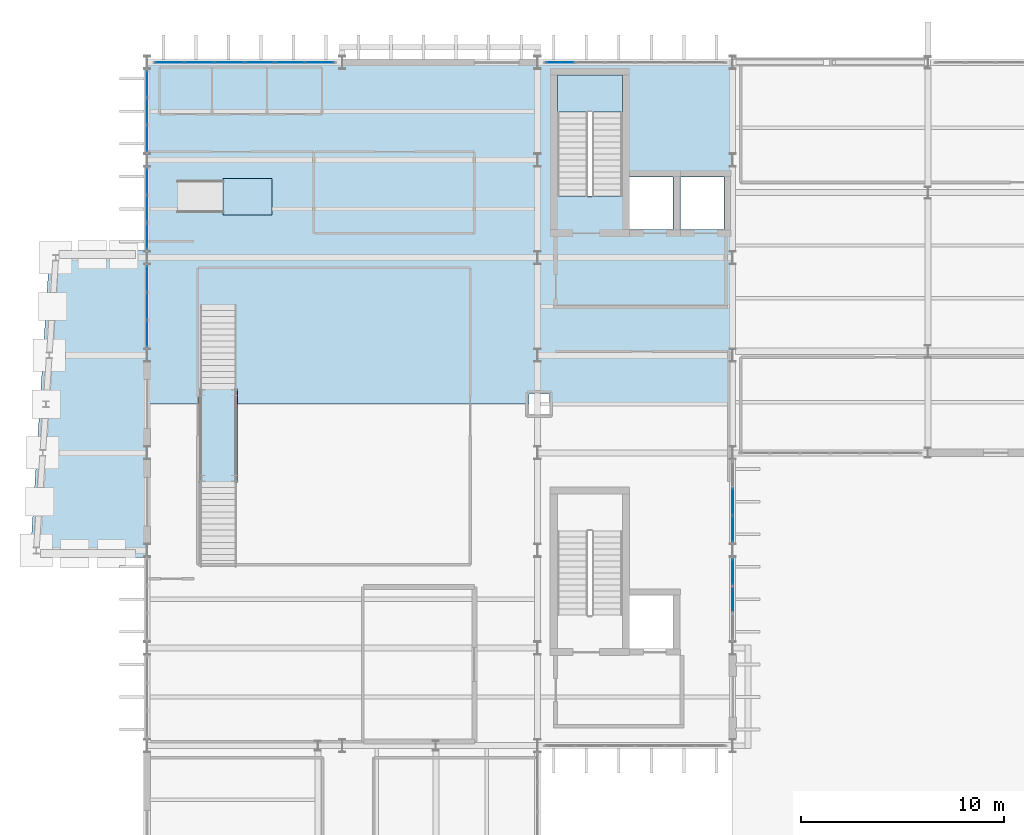
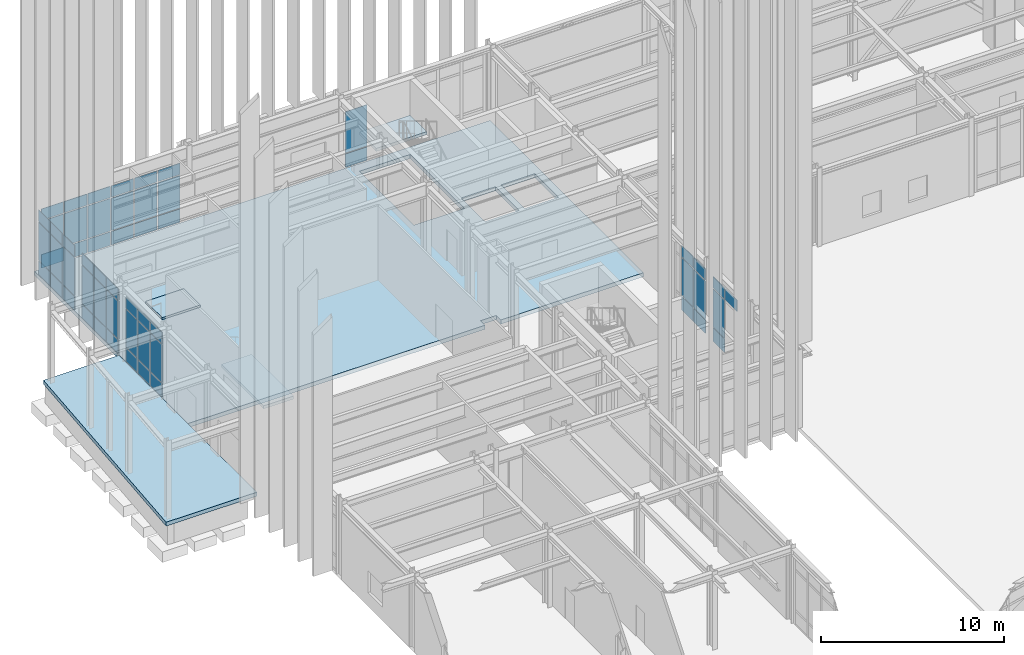
# One storey, part 73 of 109: 57 plates, 5 slabs, 9 elements without a shape of their own.
"""IFC4 building model written with IfcOpenShell, lengths in metres."""

import ifcopenshell
import ifcopenshell.guid

model = None  # the IFC model being written
_history = None  # IfcOwnerHistory: only IFC2X3 demands one
_inside = {}  # id of a spatial element -> (the spatial element, [elements in it])
_under = {}  # id of a project, library or spatial element -> (it, [spatial elements below it])
_declared = {}  # id of a project -> (the project, [libraries it declares])
_typed = {}  # id of a type object -> (the type object, [elements of that type])
_made_of = {}  # id of a material, layer set ... -> (it, [elements and type objects made of it])


def new_model(schema):
    """Start an empty IFC model of exactly this schema.

    Asked for "IFC4X3", IfcOpenShell would pick the latest addendum, in which some entities
    have other attributes; the version numbers below select the first issue.
    IFC2X3 requires an IfcOwnerHistory on every rooted entity: one is made here for all.
    """
    global model, _history
    if schema == "IFC4X3":
        model = ifcopenshell.file(schema_version=(4, 3, 0, 0))
    else:
        model = ifcopenshell.file(schema=schema)
    _inside.clear()
    _under.clear()
    _declared.clear()
    _typed.clear()
    _made_of.clear()
    _history = None
    if model.schema == "IFC2X3":
        org = make("IfcOrganization", Name="unknown")
        user = make(
            "IfcPersonAndOrganization",
            ThePerson=make("IfcPerson", FamilyName="unknown"),
            TheOrganization=org,
        )
        app = make(
            "IfcApplication",
            ApplicationDeveloper=org,
            Version="unknown",
            ApplicationFullName="unknown",
            ApplicationIdentifier="unknown",
        )
        _history = make(
            "IfcOwnerHistory",
            OwningUser=user,
            OwningApplication=app,
            ChangeAction="ADDED",
            CreationDate=0,
        )
    return model


def make(cls, **values):
    """One entity of the class cls with the attributes given. An attribute that is None is left unset."""
    return model.create_entity(
        cls, **{name: value for name, value in values.items() if value is not None}
    )


def rooted(cls, **values):
    """An entity with a GlobalId (a new one), such as an element, a storey or a relation."""
    return make(cls, GlobalId=ifcopenshell.guid.new(), OwnerHistory=_history, **values)


def si_unit(unit_type, name, prefix=None):
    """IfcSIUnit, for example si_unit("LENGTHUNIT", "METRE", prefix="MILLI")."""
    return make("IfcSIUnit", UnitType=unit_type, Prefix=prefix, Name=name)


def assignment(units):
    """IfcUnitAssignment: the units of a project."""
    return None if units is None else make("IfcUnitAssignment", Units=units)


def point(xyz):
    """IfcCartesianPoint."""
    return None if xyz is None else make("IfcCartesianPoint", Coordinates=xyz)


def direction(xyz):
    """IfcDirection."""
    return None if xyz is None else make("IfcDirection", DirectionRatios=xyz)


def frame(location, z_axis=None, x_axis=None):
    """IfcAxis2Placement3D, a coordinate frame: its origin and axes. An axis left out is left unset."""
    return make(
        "IfcAxis2Placement3D",
        Location=point(location),
        Axis=direction(z_axis),
        RefDirection=direction(x_axis),
    )


def frame_2d(location, x_axis=None):
    """IfcAxis2Placement2D, a coordinate frame in the plane: its origin and x axis."""
    return make(
        "IfcAxis2Placement2D", Location=point(location), RefDirection=direction(x_axis)
    )


def origin():
    """The frame at (0, 0, 0) with its axes left unset."""
    return frame((0.0, 0.0, 0.0))


def origin_2d():
    """The frame at (0, 0) in the plane with its x axis left unset."""
    return frame_2d((0.0, 0.0))


def place(relative_to, where):
    """IfcLocalPlacement: puts the frame where relative to a parent placement (None: the world)."""
    return make(
        "IfcLocalPlacement", PlacementRelTo=relative_to, RelativePlacement=where
    )


def context(
    kind, dimensions, precision=None, world=None, true_north=None, identifier=None
):
    """IfcGeometricRepresentationContext, for example the 3D "Model" context."""
    return make(
        "IfcGeometricRepresentationContext",
        ContextIdentifier=identifier,
        ContextType=kind,
        CoordinateSpaceDimension=dimensions,
        Precision=precision,
        WorldCoordinateSystem=world,
        TrueNorth=true_north,
    )


def subcontext(parent, identifier, kind, view, scale=None):
    """IfcGeometricRepresentationSubContext, for example "Body" below "Model"."""
    return make(
        "IfcGeometricRepresentationSubContext",
        ContextIdentifier=identifier,
        ContextType=kind,
        ParentContext=parent,
        TargetScale=scale,
        TargetView=view,
    )


def project(units=None, contexts=None):
    """IfcProject with its units and contexts."""
    return rooted(
        "IfcProject",
        Name="project",
        RepresentationContexts=contexts,
        UnitsInContext=assignment(units),
    )


def spatial(cls, under=None, at=None, **own):
    """A site, building, storey or space (cls), placed at a placement, below another one or the project."""
    s = rooted(cls, ObjectPlacement=at, **own)
    if under is not None:
        _under.setdefault(under.id(), (under, []))[1].append(s)
    return s


def polyline(points):
    """IfcPolyline through the points."""
    return make("IfcPolyline", Points=[point(p) for p in points])


def profile(cls, at=None, kind="AREA", **sizes):
    """A parametric profile (cls). Its sizes go by their IFC names, for example OverallWidth=200.0."""
    return make(cls, ProfileType=kind, Position=at, **sizes)


def rectangle(**sizes):
    """IfcRectangleProfileDef."""
    return profile("IfcRectangleProfileDef", **sizes)


def outline(outer, holes=None, kind="AREA"):
    """IfcArbitraryClosedProfileDef: a profile drawn as a closed curve; with holes, ...WithVoids."""
    if holes is None:
        return make("IfcArbitraryClosedProfileDef", ProfileType=kind, OuterCurve=outer)
    return make(
        "IfcArbitraryProfileDefWithVoids",
        ProfileType=kind,
        OuterCurve=outer,
        InnerCurves=holes,
    )


def extrude(swept, where, along, depth):
    """IfcExtrudedAreaSolid: the profile swept, set in the frame where, extruded along a direction by depth."""
    return make(
        "IfcExtrudedAreaSolid",
        SweptArea=swept,
        Position=where,
        ExtrudedDirection=direction(along),
        Depth=depth,
    )


def shape(context_of_items, identifier, shape_type, items):
    """IfcShapeRepresentation: the items that make up one representation, for example the "Body"."""
    return make(
        "IfcShapeRepresentation",
        ContextOfItems=context_of_items,
        RepresentationIdentifier=identifier,
        RepresentationType=shape_type,
        Items=items,
    )


def material(Name=None, Category=None):
    """IfcMaterial."""
    return make("IfcMaterial", Name=Name, Category=Category)


def layer(
    of_material, thickness, ventilated=None, Name=None, Category=None, Priority=None
):
    """IfcMaterialLayer: one layer of a wall or slab, of a material (None: an air gap)."""
    return make(
        "IfcMaterialLayer",
        Material=of_material,
        LayerThickness=thickness,
        IsVentilated=ventilated,
        Name=Name,
        Category=Category,
        Priority=Priority,
    )


def layer_set(layers, Name=None):
    """IfcMaterialLayerSet."""
    return make("IfcMaterialLayerSet", MaterialLayers=layers, LayerSetName=Name)


def made_of(thing, what):
    """Note that an element or type object is made of a material, layer set ...; save() writes the relation."""
    if what is not None:
        _made_of.setdefault(what.id(), (what, []))[1].append(thing)
    return thing


def type_object(cls, material=None, **own):
    """A type object (cls), such as IfcWallType, which elements share."""
    return made_of(rooted(cls, **own), material)


def element(
    cls,
    number,
    at=None,
    inside=None,
    cuts=None,
    type_object=None,
    material=None,
    context=None,
    identifier="Body",
    shape_type=None,
    held_by="IfcProductDefinitionShape",
    body=None,
    shapes=None,
    **own,
):
    """One element of the class cls, such as IfcWall. Its Tag is "e" and its number.

    at: its placement. inside: the storey or other place that contains it. cuts: it is an
    opening in that element (IfcRelVoidsElement). A single representation is given by context,
    identifier, shape_type and body (its items); several are given by shapes. held_by: the class
    of the entity that holds the representations. save() writes the other relations.
    """
    e = rooted(cls, Tag="e%d" % number, ObjectPlacement=at, **own)
    if body is not None:
        shapes = [shape(context, identifier, shape_type, body)]
    if shapes is not None:
        e.Representation = make(held_by, Representations=shapes)
    if inside is not None:
        _inside.setdefault(inside.id(), (inside, []))[1].append(e)
    if cuts is not None:
        rooted(
            "IfcRelVoidsElement", RelatingBuildingElement=cuts, RelatedOpeningElement=e
        )
    if type_object is not None:
        _typed.setdefault(type_object.id(), (type_object, []))[1].append(e)
    return made_of(e, material)


def aggregate(whole, parts):
    """IfcRelAggregates: a whole, such as a stair, and the parts it consists of."""
    return rooted("IfcRelAggregates", RelatingObject=whole, RelatedObjects=parts)


def save(model, path):
    """Write the relations noted so far, then the file.

    IfcRelAggregates (storeys below a building ...), IfcRelContainedInSpatialStructure (elements
    in a storey), IfcRelDefinesByType, IfcRelAssociatesMaterial and IfcRelDeclares: one each for
    every whole, place, type object, material and project.
    """
    for whole, parts in _under.values():
        aggregate(whole, parts)
    for where, things in _inside.values():
        rooted(
            "IfcRelContainedInSpatialStructure",
            RelatedElements=things,
            RelatingStructure=where,
        )
    for kind, things in _typed.values():
        rooted("IfcRelDefinesByType", RelatedObjects=things, RelatingType=kind)
    for what, things in _made_of.values():
        rooted("IfcRelAssociatesMaterial", RelatedObjects=things, RelatingMaterial=what)
    for by, libraries in _declared.values():
        rooted("IfcRelDeclares", RelatingContext=by, RelatedDefinitions=libraries)
    model.write(path)


model = new_model("IFC4")

# Units and contexts
model_context = context("Model", 3, precision=1e-05, world=origin(), true_north=direction((0.0, 1.0)))
body_context = subcontext(model_context, "Body", "Model", "MODEL_VIEW")
ifc_project = project(units=[si_unit("LENGTHUNIT", "METRE"), si_unit("AREAUNIT", "SQUARE_METRE"), si_unit("VOLUMEUNIT", "CUBIC_METRE"), si_unit("PLANEANGLEUNIT", "RADIAN"), si_unit("MASSUNIT", "GRAM", prefix="KILO")], contexts=[model_context])

# Site, building, storey
site_placement = place(None, origin())
site = spatial("IfcSite", under=ifc_project, at=site_placement, CompositionType="ELEMENT")
building_placement = place(site_placement, origin())
building = spatial("IfcBuilding", under=site, at=building_placement, Name="Nordkorset Police Headquarters", CompositionType="ELEMENT")
storey_placement = place(building_placement, origin())
storey = spatial("IfcBuildingStorey", under=building, at=storey_placement, Name="L00", CompositionType="ELEMENT", Elevation=0.0)

# Curtain wall, plates
ifc_material_1 = material(Name="Aluminium alloy AW-6060", Category="aluminium")
ifc_layer_1 = layer(ifc_material_1, 0.179931640625, Name="Aluminium alloy AW-6060")
ifc_layer_set_1 = layer_set([ifc_layer_1], Name="Aluminium alloy AW-6060")
curtain_wall_type_1 = type_object("IfcCurtainWallType", Name="CW_Unit_408x444", PredefinedType="USERDEFINED", material=ifc_layer_set_1)
curtain_wall_1_placement = place(storey_placement, origin())
curtain_wall_1 = element("IfcCurtainWall", 1, at=curtain_wall_1_placement, inside=storey, type_object=curtain_wall_type_1, Name="Unitised Curtain Wall L00 V1W-4", ObjectType="UNITISED CURTAIN WALL", PredefinedType="USERDEFINED")
ifc_material_2 = material(Name="Low-iron triple glazing", Category="glass")
ifc_layer_2 = layer(ifc_material_2, 0.035888671875, Name="Low-iron triple glazing")
ifc_layer_set_2 = layer_set([ifc_layer_2], Name="Low-iron triple glazing")
plate_type = type_object("IfcPlateType", Name="CW_Panel_TripleGlazing_36", PredefinedType="CURTAIN_PANEL", material=ifc_layer_set_2)
plate_1_placement = place(storey_placement, frame((0.0, 103.456298828125, 0.06494140625), z_axis=(0.0, 0.0, 1.0), x_axis=(0.0, 1.0, 0.0)))
plate_1 = element("IfcPlate", 2, at=plate_1_placement, type_object=plate_type, Name="CW-66 panel 1.1", PredefinedType="CURTAIN_PANEL", context=body_context, shape_type="SweptSolid", body=[
    extrude(rectangle(XDim=1.262451171875, YDim=0.035888671875, at=origin_2d()), origin(), (0.0, 0.0, 1.0), 0.902587890625),
])
plate_2_placement = place(storey_placement, frame((0.0, 103.456298828125, 1.032470703125), z_axis=(0.0, 0.0, 1.0), x_axis=(0.0, 1.0, 0.0)))
plate_2 = element("IfcPlate", 3, at=plate_2_placement, type_object=plate_type, Name="CW-66 panel 1.2", PredefinedType="CURTAIN_PANEL", context=body_context, shape_type="SweptSolid", body=[
    extrude(rectangle(XDim=1.262451171875, YDim=0.035888671875, at=origin_2d()), origin(), (0.0, 0.0, 1.0), 2.52490234375),
])
plate_3_placement = place(storey_placement, frame((0.0, 103.456298828125, 3.62255859375), z_axis=(0.0, 0.0, 1.0), x_axis=(0.0, 1.0, 0.0)))
plate_3 = element("IfcPlate", 4, at=plate_3_placement, type_object=plate_type, Name="CW-66 panel 1.3", PredefinedType="CURTAIN_PANEL", context=body_context, shape_type="SweptSolid", body=[
    extrude(rectangle(XDim=1.262451171875, YDim=0.035888671875, at=origin_2d()), origin(), (0.0, 0.0, 1.0), 0.75244140625),
])
plate_4_placement = place(storey_placement, frame((0.0, 104.800048828125, 0.06494140625), z_axis=(0.0, 0.0, 1.0), x_axis=(0.0, 1.0, 0.0)))
plate_4 = element("IfcPlate", 5, at=plate_4_placement, type_object=plate_type, Name="CW-66 panel 2.1", PredefinedType="CURTAIN_PANEL", context=body_context, shape_type="SweptSolid", body=[
    extrude(rectangle(XDim=1.294921875, YDim=0.035888671875, at=origin_2d()), origin(), (0.0, 0.0, 1.0), 0.902587890625),
])
plate_5_placement = place(storey_placement, frame((0.0, 104.800048828125, 1.032470703125), z_axis=(0.0, 0.0, 1.0), x_axis=(0.0, 1.0, 0.0)))
plate_5 = element("IfcPlate", 6, at=plate_5_placement, type_object=plate_type, Name="CW-66 panel 2.2", PredefinedType="CURTAIN_PANEL", context=body_context, shape_type="SweptSolid", body=[
    extrude(rectangle(XDim=1.294921875, YDim=0.035888671875, at=origin_2d()), origin(), (0.0, 0.0, 1.0), 2.52490234375),
])
plate_6_placement = place(storey_placement, frame((0.0, 104.800048828125, 3.62255859375), z_axis=(0.0, 0.0, 1.0), x_axis=(0.0, 1.0, 0.0)))
plate_6 = element("IfcPlate", 7, at=plate_6_placement, type_object=plate_type, Name="CW-66 panel 2.3", PredefinedType="CURTAIN_PANEL", context=body_context, shape_type="SweptSolid", body=[
    extrude(rectangle(XDim=1.294921875, YDim=0.035888671875, at=origin_2d()), origin(), (0.0, 0.0, 1.0), 0.75244140625),
])
plate_7_placement = place(storey_placement, frame((0.0, 106.143798828125, 0.06494140625), z_axis=(0.0, 0.0, 1.0), x_axis=(0.0, 1.0, 0.0)))
plate_7 = element("IfcPlate", 8, at=plate_7_placement, type_object=plate_type, Name="CW-66 panel 3.1", PredefinedType="CURTAIN_PANEL", context=body_context, shape_type="SweptSolid", body=[
    extrude(rectangle(XDim=1.262451171875, YDim=0.035888671875, at=origin_2d()), origin(), (0.0, 0.0, 1.0), 0.902587890625),
])
plate_8_placement = place(storey_placement, frame((0.0, 106.143798828125, 1.032470703125), z_axis=(0.0, 0.0, 1.0), x_axis=(0.0, 1.0, 0.0)))
plate_8 = element("IfcPlate", 9, at=plate_8_placement, type_object=plate_type, Name="CW-66 panel 3.2", PredefinedType="CURTAIN_PANEL", context=body_context, shape_type="SweptSolid", body=[
    extrude(rectangle(XDim=1.262451171875, YDim=0.035888671875, at=origin_2d()), origin(), (0.0, 0.0, 1.0), 2.52490234375),
])
plate_9_placement = place(storey_placement, frame((0.0, 106.143798828125, 3.62255859375), z_axis=(0.0, 0.0, 1.0), x_axis=(0.0, 1.0, 0.0)))
plate_9 = element("IfcPlate", 10, at=plate_9_placement, type_object=plate_type, Name="CW-66 panel 3.3", PredefinedType="CURTAIN_PANEL", context=body_context, shape_type="SweptSolid", body=[
    extrude(rectangle(XDim=1.262451171875, YDim=0.035888671875, at=origin_2d()), origin(), (0.0, 0.0, 1.0), 0.75244140625),
])
aggregate(curtain_wall_1, [plate_1, plate_2, plate_3, plate_4, plate_5, plate_6, plate_7, plate_8, plate_9])

curtain_wall_2_placement = place(storey_placement, origin())
curtain_wall_2 = element("IfcCurtainWall", 11, at=curtain_wall_2_placement, inside=storey, type_object=curtain_wall_type_1, Name="Unitised Curtain Wall L00 V1W-5", ObjectType="UNITISED CURTAIN WALL", PredefinedType="USERDEFINED")
plate_10_placement = place(storey_placement, frame((0.0, 108.25634765625, 0.06494140625), z_axis=(0.0, 0.0, 1.0), x_axis=(0.0, 1.0, 0.0)))
plate_10 = element("IfcPlate", 12, at=plate_10_placement, type_object=plate_type, Name="CW-66 panel 1.1", PredefinedType="CURTAIN_PANEL", context=body_context, shape_type="SweptSolid", body=[
    extrude(rectangle(XDim=1.262451171875, YDim=0.035888671875, at=origin_2d()), origin(), (0.0, 0.0, 1.0), 0.902587890625),
])
plate_11_placement = place(storey_placement, frame((0.0, 108.25634765625, 1.032470703125), z_axis=(0.0, 0.0, 1.0), x_axis=(0.0, 1.0, 0.0)))
plate_11 = element("IfcPlate", 13, at=plate_11_placement, type_object=plate_type, Name="CW-66 panel 1.2", PredefinedType="CURTAIN_PANEL", context=body_context, shape_type="SweptSolid", body=[
    extrude(rectangle(XDim=1.262451171875, YDim=0.035888671875, at=origin_2d()), origin(), (0.0, 0.0, 1.0), 2.52490234375),
])
plate_12_placement = place(storey_placement, frame((0.0, 108.25634765625, 3.62255859375), z_axis=(0.0, 0.0, 1.0), x_axis=(0.0, 1.0, 0.0)))
plate_12 = element("IfcPlate", 14, at=plate_12_placement, type_object=plate_type, Name="CW-66 panel 1.3", PredefinedType="CURTAIN_PANEL", context=body_context, shape_type="SweptSolid", body=[
    extrude(rectangle(XDim=1.262451171875, YDim=0.035888671875, at=origin_2d()), origin(), (0.0, 0.0, 1.0), 0.75244140625),
])
plate_13_placement = place(storey_placement, frame((0.0, 109.60009765625, 0.06494140625), z_axis=(0.0, 0.0, 1.0), x_axis=(0.0, 1.0, 0.0)))
plate_13 = element("IfcPlate", 15, at=plate_13_placement, type_object=plate_type, Name="CW-66 panel 2.1", PredefinedType="CURTAIN_PANEL", context=body_context, shape_type="SweptSolid", body=[
    extrude(rectangle(XDim=1.294921875, YDim=0.035888671875, at=origin_2d()), origin(), (0.0, 0.0, 1.0), 0.902587890625),
])
plate_14_placement = place(storey_placement, frame((0.0, 109.60009765625, 1.032470703125), z_axis=(0.0, 0.0, 1.0), x_axis=(0.0, 1.0, 0.0)))
plate_14 = element("IfcPlate", 16, at=plate_14_placement, type_object=plate_type, Name="CW-66 panel 2.2", PredefinedType="CURTAIN_PANEL", context=body_context, shape_type="SweptSolid", body=[
    extrude(rectangle(XDim=1.294921875, YDim=0.035888671875, at=origin_2d()), origin(), (0.0, 0.0, 1.0), 2.52490234375),
])
plate_15_placement = place(storey_placement, frame((0.0, 109.60009765625, 3.62255859375), z_axis=(0.0, 0.0, 1.0), x_axis=(0.0, 1.0, 0.0)))
plate_15 = element("IfcPlate", 17, at=plate_15_placement, type_object=plate_type, Name="CW-66 panel 2.3", PredefinedType="CURTAIN_PANEL", context=body_context, shape_type="SweptSolid", body=[
    extrude(rectangle(XDim=1.294921875, YDim=0.035888671875, at=origin_2d()), origin(), (0.0, 0.0, 1.0), 0.75244140625),
])
plate_16_placement = place(storey_placement, frame((0.0, 110.94384765625, 0.06494140625), z_axis=(0.0, 0.0, 1.0), x_axis=(0.0, 1.0, 0.0)))
plate_16 = element("IfcPlate", 18, at=plate_16_placement, type_object=plate_type, Name="CW-66 panel 3.1", PredefinedType="CURTAIN_PANEL", context=body_context, shape_type="SweptSolid", body=[
    extrude(rectangle(XDim=1.262451171875, YDim=0.035888671875, at=origin_2d()), origin(), (0.0, 0.0, 1.0), 0.902587890625),
])
plate_17_placement = place(storey_placement, frame((0.0, 110.94384765625, 1.032470703125), z_axis=(0.0, 0.0, 1.0), x_axis=(0.0, 1.0, 0.0)))
plate_17 = element("IfcPlate", 19, at=plate_17_placement, type_object=plate_type, Name="CW-66 panel 3.2", PredefinedType="CURTAIN_PANEL", context=body_context, shape_type="SweptSolid", body=[
    extrude(rectangle(XDim=1.262451171875, YDim=0.035888671875, at=origin_2d()), origin(), (0.0, 0.0, 1.0), 2.52490234375),
])
plate_18_placement = place(storey_placement, frame((0.0, 110.94384765625, 3.62255859375), z_axis=(0.0, 0.0, 1.0), x_axis=(0.0, 1.0, 0.0)))
plate_18 = element("IfcPlate", 20, at=plate_18_placement, type_object=plate_type, Name="CW-66 panel 3.3", PredefinedType="CURTAIN_PANEL", context=body_context, shape_type="SweptSolid", body=[
    extrude(rectangle(XDim=1.262451171875, YDim=0.035888671875, at=origin_2d()), origin(), (0.0, 0.0, 1.0), 0.75244140625),
])
aggregate(curtain_wall_2, [plate_10, plate_11, plate_12, plate_13, plate_14, plate_15, plate_16, plate_17, plate_18])

curtain_wall_3_placement = place(storey_placement, origin())
curtain_wall_3 = element("IfcCurtainWall", 21, at=curtain_wall_3_placement, inside=storey, type_object=curtain_wall_type_1, Name="Unitised Curtain Wall L00 V1W-6", ObjectType="UNITISED CURTAIN WALL", PredefinedType="USERDEFINED")
plate_19_placement = place(storey_placement, frame((0.0, 113.05615234375, 0.06494140625), z_axis=(0.0, 0.0, 1.0), x_axis=(0.0, 1.0, 0.0)))
plate_19 = element("IfcPlate", 22, at=plate_19_placement, type_object=plate_type, Name="CW-66 panel 1.1", PredefinedType="CURTAIN_PANEL", context=body_context, shape_type="SweptSolid", body=[
    extrude(rectangle(XDim=1.262451171875, YDim=0.035888671875, at=origin_2d()), origin(), (0.0, 0.0, 1.0), 0.902587890625),
])
plate_20_placement = place(storey_placement, frame((0.0, 113.05615234375, 1.032470703125), z_axis=(0.0, 0.0, 1.0), x_axis=(0.0, 1.0, 0.0)))
plate_20 = element("IfcPlate", 23, at=plate_20_placement, type_object=plate_type, Name="CW-66 panel 1.2", PredefinedType="CURTAIN_PANEL", context=body_context, shape_type="SweptSolid", body=[
    extrude(rectangle(XDim=1.262451171875, YDim=0.035888671875, at=origin_2d()), origin(), (0.0, 0.0, 1.0), 2.52490234375),
])
plate_21_placement = place(storey_placement, frame((0.0, 113.05615234375, 3.62255859375), z_axis=(0.0, 0.0, 1.0), x_axis=(0.0, 1.0, 0.0)))
plate_21 = element("IfcPlate", 24, at=plate_21_placement, type_object=plate_type, Name="CW-66 panel 1.3", PredefinedType="CURTAIN_PANEL", context=body_context, shape_type="SweptSolid", body=[
    extrude(rectangle(XDim=1.262451171875, YDim=0.035888671875, at=origin_2d()), origin(), (0.0, 0.0, 1.0), 0.75244140625),
])
plate_22_placement = place(storey_placement, frame((0.0, 114.39990234375, 0.06494140625), z_axis=(0.0, 0.0, 1.0), x_axis=(0.0, 1.0, 0.0)))
plate_22 = element("IfcPlate", 25, at=plate_22_placement, type_object=plate_type, Name="CW-66 panel 2.1", PredefinedType="CURTAIN_PANEL", context=body_context, shape_type="SweptSolid", body=[
    extrude(rectangle(XDim=1.294921875, YDim=0.035888671875, at=origin_2d()), origin(), (0.0, 0.0, 1.0), 0.902587890625),
])
plate_23_placement = place(storey_placement, frame((0.0, 114.39990234375, 1.032470703125), z_axis=(0.0, 0.0, 1.0), x_axis=(0.0, 1.0, 0.0)))
plate_23 = element("IfcPlate", 26, at=plate_23_placement, type_object=plate_type, Name="CW-66 panel 2.2", PredefinedType="CURTAIN_PANEL", context=body_context, shape_type="SweptSolid", body=[
    extrude(rectangle(XDim=1.294921875, YDim=0.035888671875, at=origin_2d()), origin(), (0.0, 0.0, 1.0), 2.52490234375),
])
plate_24_placement = place(storey_placement, frame((0.0, 114.39990234375, 3.62255859375), z_axis=(0.0, 0.0, 1.0), x_axis=(0.0, 1.0, 0.0)))
plate_24 = element("IfcPlate", 27, at=plate_24_placement, type_object=plate_type, Name="CW-66 panel 2.3", PredefinedType="CURTAIN_PANEL", context=body_context, shape_type="SweptSolid", body=[
    extrude(rectangle(XDim=1.294921875, YDim=0.035888671875, at=origin_2d()), origin(), (0.0, 0.0, 1.0), 0.75244140625),
])
plate_25_placement = place(storey_placement, frame((0.0, 115.74365234375, 0.06494140625), z_axis=(0.0, 0.0, 1.0), x_axis=(0.0, 1.0, 0.0)))
plate_25 = element("IfcPlate", 28, at=plate_25_placement, type_object=plate_type, Name="CW-66 panel 3.1", PredefinedType="CURTAIN_PANEL", context=body_context, shape_type="SweptSolid", body=[
    extrude(rectangle(XDim=1.262451171875, YDim=0.035888671875, at=origin_2d()), origin(), (0.0, 0.0, 1.0), 0.902587890625),
])
plate_26_placement = place(storey_placement, frame((0.0, 115.74365234375, 1.032470703125), z_axis=(0.0, 0.0, 1.0), x_axis=(0.0, 1.0, 0.0)))
plate_26 = element("IfcPlate", 29, at=plate_26_placement, type_object=plate_type, Name="CW-66 panel 3.2", PredefinedType="CURTAIN_PANEL", context=body_context, shape_type="SweptSolid", body=[
    extrude(rectangle(XDim=1.262451171875, YDim=0.035888671875, at=origin_2d()), origin(), (0.0, 0.0, 1.0), 2.52490234375),
])
plate_27_placement = place(storey_placement, frame((0.0, 115.74365234375, 3.62255859375), z_axis=(0.0, 0.0, 1.0), x_axis=(0.0, 1.0, 0.0)))
plate_27 = element("IfcPlate", 30, at=plate_27_placement, type_object=plate_type, Name="CW-66 panel 3.3", PredefinedType="CURTAIN_PANEL", context=body_context, shape_type="SweptSolid", body=[
    extrude(rectangle(XDim=1.262451171875, YDim=0.035888671875, at=origin_2d()), origin(), (0.0, 0.0, 1.0), 0.75244140625),
])
aggregate(curtain_wall_3, [plate_19, plate_20, plate_21, plate_22, plate_23, plate_24, plate_25, plate_26, plate_27])

ifc_material_3 = material(Name="Aluminium alloy AW-6060", Category="aluminium")
ifc_layer_3 = layer(ifc_material_3, 0.179931640625, Name="Aluminium alloy AW-6060")
ifc_layer_set_3 = layer_set([ifc_layer_3], Name="Aluminium alloy AW-6060")
curtain_wall_type_2 = type_object("IfcCurtainWallType", Name="CW_Unit_888x408", PredefinedType="USERDEFINED", material=ifc_layer_set_3)
curtain_wall_4_placement = place(storey_placement, origin())
curtain_wall_4 = element("IfcCurtainWall", 31, at=curtain_wall_4_placement, inside=storey, type_object=curtain_wall_type_2, Name="Unitised Curtain Wall L00 V1N-0", ObjectType="UNITISED CURTAIN WALL", PredefinedType="USERDEFINED")
plate_28_placement = place(storey_placement, frame((1.1162109375, 116.800048828125, 0.06494140625), z_axis=(0.0, 0.0, 1.0), x_axis=(1.0, 0.0, 0.0)))
plate_28 = element("IfcPlate", 32, at=plate_28_placement, type_object=plate_type, Name="CW-14 panel 1.1", PredefinedType="CURTAIN_PANEL", context=body_context, shape_type="SweptSolid", body=[
    extrude(rectangle(XDim=1.382568359375, YDim=0.035888671875, at=origin_2d()), origin(), (0.0, 0.0, 1.0), 0.902587890625),
])
plate_29_placement = place(storey_placement, frame((1.1162109375, 116.800048828125, 1.032470703125), z_axis=(0.0, 0.0, 1.0), x_axis=(1.0, 0.0, 0.0)))
plate_29 = element("IfcPlate", 33, at=plate_29_placement, type_object=plate_type, Name="CW-14 panel 1.2", PredefinedType="CURTAIN_PANEL", context=body_context, shape_type="SweptSolid", body=[
    extrude(rectangle(XDim=1.382568359375, YDim=0.035888671875, at=origin_2d()), origin(), (0.0, 0.0, 1.0), 2.1650390625),
])
plate_30_placement = place(storey_placement, frame((1.1162109375, 116.800048828125, 3.262451171875), z_axis=(0.0, 0.0, 1.0), x_axis=(1.0, 0.0, 0.0)))
plate_30 = element("IfcPlate", 34, at=plate_30_placement, type_object=plate_type, Name="CW-14 panel 1.3", PredefinedType="CURTAIN_PANEL", context=body_context, shape_type="SweptSolid", body=[
    extrude(rectangle(XDim=1.382568359375, YDim=0.035888671875, at=origin_2d()), origin(), (0.0, 0.0, 1.0), 0.75244140625),
])
plate_31_placement = place(storey_placement, frame((2.580078125, 116.800048828125, 0.06494140625), z_axis=(0.0, 0.0, 1.0), x_axis=(1.0, 0.0, 0.0)))
plate_31 = element("IfcPlate", 35, at=plate_31_placement, type_object=plate_type, Name="CW-14 panel 2.1", PredefinedType="CURTAIN_PANEL", context=body_context, shape_type="SweptSolid", body=[
    extrude(rectangle(XDim=1.4150390625, YDim=0.035888671875, at=origin_2d()), origin(), (0.0, 0.0, 1.0), 0.902587890625),
])
plate_32_placement = place(storey_placement, frame((2.580078125, 116.800048828125, 1.032470703125), z_axis=(0.0, 0.0, 1.0), x_axis=(1.0, 0.0, 0.0)))
plate_32 = element("IfcPlate", 36, at=plate_32_placement, type_object=plate_type, Name="CW-14 panel 2.2", PredefinedType="CURTAIN_PANEL", context=body_context, shape_type="SweptSolid", body=[
    extrude(rectangle(XDim=1.4150390625, YDim=0.035888671875, at=origin_2d()), origin(), (0.0, 0.0, 1.0), 2.1650390625),
])
plate_33_placement = place(storey_placement, frame((2.580078125, 116.800048828125, 3.262451171875), z_axis=(0.0, 0.0, 1.0), x_axis=(1.0, 0.0, 0.0)))
plate_33 = element("IfcPlate", 37, at=plate_33_placement, type_object=plate_type, Name="CW-14 panel 2.3", PredefinedType="CURTAIN_PANEL", context=body_context, shape_type="SweptSolid", body=[
    extrude(rectangle(XDim=1.4150390625, YDim=0.035888671875, at=origin_2d()), origin(), (0.0, 0.0, 1.0), 0.75244140625),
])
plate_34_placement = place(storey_placement, frame((4.06005859375, 116.800048828125, 0.06494140625), z_axis=(0.0, 0.0, 1.0), x_axis=(1.0, 0.0, 0.0)))
plate_34 = element("IfcPlate", 38, at=plate_34_placement, type_object=plate_type, Name="CW-14 panel 3.1", PredefinedType="CURTAIN_PANEL", context=body_context, shape_type="SweptSolid", body=[
    extrude(rectangle(XDim=1.4150390625, YDim=0.035888671875, at=origin_2d()), origin(), (0.0, 0.0, 1.0), 0.902587890625),
])
plate_35_placement = place(storey_placement, frame((4.06005859375, 116.800048828125, 1.032470703125), z_axis=(0.0, 0.0, 1.0), x_axis=(1.0, 0.0, 0.0)))
plate_35 = element("IfcPlate", 39, at=plate_35_placement, type_object=plate_type, Name="CW-14 panel 3.2", PredefinedType="CURTAIN_PANEL", context=body_context, shape_type="SweptSolid", body=[
    extrude(rectangle(XDim=1.4150390625, YDim=0.035888671875, at=origin_2d()), origin(), (0.0, 0.0, 1.0), 2.1650390625),
])
plate_36_placement = place(storey_placement, frame((4.06005859375, 116.800048828125, 3.262451171875), z_axis=(0.0, 0.0, 1.0), x_axis=(1.0, 0.0, 0.0)))
plate_36 = element("IfcPlate", 40, at=plate_36_placement, type_object=plate_type, Name="CW-14 panel 3.3", PredefinedType="CURTAIN_PANEL", context=body_context, shape_type="SweptSolid", body=[
    extrude(rectangle(XDim=1.4150390625, YDim=0.035888671875, at=origin_2d()), origin(), (0.0, 0.0, 1.0), 0.75244140625),
])
plate_37_placement = place(storey_placement, frame((5.5400390625, 116.800048828125, 0.06494140625), z_axis=(0.0, 0.0, 1.0), x_axis=(1.0, 0.0, 0.0)))
plate_37 = element("IfcPlate", 41, at=plate_37_placement, type_object=plate_type, Name="CW-14 panel 4.1", PredefinedType="CURTAIN_PANEL", context=body_context, shape_type="SweptSolid", body=[
    extrude(rectangle(XDim=1.4150390625, YDim=0.035888671875, at=origin_2d()), origin(), (0.0, 0.0, 1.0), 0.902587890625),
])
plate_38_placement = place(storey_placement, frame((5.5400390625, 116.800048828125, 1.032470703125), z_axis=(0.0, 0.0, 1.0), x_axis=(1.0, 0.0, 0.0)))
plate_38 = element("IfcPlate", 42, at=plate_38_placement, type_object=plate_type, Name="CW-14 panel 4.2", PredefinedType="CURTAIN_PANEL", context=body_context, shape_type="SweptSolid", body=[
    extrude(rectangle(XDim=1.4150390625, YDim=0.035888671875, at=origin_2d()), origin(), (0.0, 0.0, 1.0), 2.1650390625),
])
plate_39_placement = place(storey_placement, frame((5.5400390625, 116.800048828125, 3.262451171875), z_axis=(0.0, 0.0, 1.0), x_axis=(1.0, 0.0, 0.0)))
plate_39 = element("IfcPlate", 43, at=plate_39_placement, type_object=plate_type, Name="CW-14 panel 4.3", PredefinedType="CURTAIN_PANEL", context=body_context, shape_type="SweptSolid", body=[
    extrude(rectangle(XDim=1.4150390625, YDim=0.035888671875, at=origin_2d()), origin(), (0.0, 0.0, 1.0), 0.75244140625),
])
plate_40_placement = place(storey_placement, frame((7.02001953125, 116.800048828125, 0.06494140625), z_axis=(0.0, 0.0, 1.0), x_axis=(1.0, 0.0, 0.0)))
plate_40 = element("IfcPlate", 44, at=plate_40_placement, type_object=plate_type, Name="CW-14 panel 5.1", PredefinedType="CURTAIN_PANEL", context=body_context, shape_type="SweptSolid", body=[
    extrude(rectangle(XDim=1.4150390625, YDim=0.035888671875, at=origin_2d()), origin(), (0.0, 0.0, 1.0), 0.902587890625),
])
plate_41_placement = place(storey_placement, frame((7.02001953125, 116.800048828125, 1.032470703125), z_axis=(0.0, 0.0, 1.0), x_axis=(1.0, 0.0, 0.0)))
plate_41 = element("IfcPlate", 45, at=plate_41_placement, type_object=plate_type, Name="CW-14 panel 5.2", PredefinedType="CURTAIN_PANEL", context=body_context, shape_type="SweptSolid", body=[
    extrude(rectangle(XDim=1.4150390625, YDim=0.035888671875, at=origin_2d()), origin(), (0.0, 0.0, 1.0), 2.1650390625),
])
plate_42_placement = place(storey_placement, frame((7.02001953125, 116.800048828125, 3.262451171875), z_axis=(0.0, 0.0, 1.0), x_axis=(1.0, 0.0, 0.0)))
plate_42 = element("IfcPlate", 46, at=plate_42_placement, type_object=plate_type, Name="CW-14 panel 5.3", PredefinedType="CURTAIN_PANEL", context=body_context, shape_type="SweptSolid", body=[
    extrude(rectangle(XDim=1.4150390625, YDim=0.035888671875, at=origin_2d()), origin(), (0.0, 0.0, 1.0), 0.75244140625),
])
plate_43_placement = place(storey_placement, frame((8.483642578125, 116.800048828125, 0.06494140625), z_axis=(0.0, 0.0, 1.0), x_axis=(1.0, 0.0, 0.0)))
plate_43 = element("IfcPlate", 47, at=plate_43_placement, type_object=plate_type, Name="CW-14 panel 6.1", PredefinedType="CURTAIN_PANEL", context=body_context, shape_type="SweptSolid", body=[
    extrude(rectangle(XDim=1.382568359375, YDim=0.035888671875, at=origin_2d()), origin(), (0.0, 0.0, 1.0), 0.902587890625),
])
plate_44_placement = place(storey_placement, frame((8.483642578125, 116.800048828125, 1.032470703125), z_axis=(0.0, 0.0, 1.0), x_axis=(1.0, 0.0, 0.0)))
plate_44 = element("IfcPlate", 48, at=plate_44_placement, type_object=plate_type, Name="CW-14 panel 6.2", PredefinedType="CURTAIN_PANEL", context=body_context, shape_type="SweptSolid", body=[
    extrude(rectangle(XDim=1.382568359375, YDim=0.035888671875, at=origin_2d()), origin(), (0.0, 0.0, 1.0), 2.1650390625),
])
plate_45_placement = place(storey_placement, frame((8.483642578125, 116.800048828125, 3.262451171875), z_axis=(0.0, 0.0, 1.0), x_axis=(1.0, 0.0, 0.0)))
plate_45 = element("IfcPlate", 49, at=plate_45_placement, type_object=plate_type, Name="CW-14 panel 6.3", PredefinedType="CURTAIN_PANEL", context=body_context, shape_type="SweptSolid", body=[
    extrude(rectangle(XDim=1.382568359375, YDim=0.035888671875, at=origin_2d()), origin(), (0.0, 0.0, 1.0), 0.75244140625),
])
aggregate(curtain_wall_4, [plate_28, plate_29, plate_30, plate_31, plate_32, plate_33, plate_34, plate_35, plate_36, plate_37, plate_38, plate_39, plate_40, plate_41, plate_42, plate_43, plate_44, plate_45])

ifc_material_4 = material(Name="Aluminium alloy AW-6060", Category="aluminium")
ifc_layer_4 = layer(ifc_material_4, 0.179931640625, Name="Aluminium alloy AW-6060")
ifc_layer_set_4 = layer_set([ifc_layer_4], Name="Aluminium alloy AW-6060")
curtain_wall_type_3 = type_object("IfcCurtainWallType", Name="CW_Unit_888x467", PredefinedType="USERDEFINED", material=ifc_layer_set_4)
curtain_wall_5_placement = place(storey_placement, origin())
curtain_wall_5 = element("IfcCurtainWall", 50, at=curtain_wall_5_placement, inside=storey, type_object=curtain_wall_type_3, Name="Unitised Curtain Wall L00 V1N-2", ObjectType="UNITISED CURTAIN WALL", PredefinedType="USERDEFINED")
plate_46_placement = place(storey_placement, frame((20.316162109375, 116.800048828125, 0.06494140625), z_axis=(0.0, 0.0, 1.0), x_axis=(1.0, 0.0, 0.0)))
plate_46 = element("IfcPlate", 51, at=plate_46_placement, type_object=plate_type, Name="CW-51 panel 1.1", PredefinedType="CURTAIN_PANEL", context=body_context, shape_type="SweptSolid", body=[
    extrude(rectangle(XDim=1.382568359375, YDim=0.035888671875, at=origin_2d()), origin(), (0.0, 0.0, 1.0), 0.902587890625),
])
plate_47_placement = place(storey_placement, frame((20.316162109375, 116.800048828125, 1.032470703125), z_axis=(0.0, 0.0, 1.0), x_axis=(1.0, 0.0, 0.0)))
plate_47 = element("IfcPlate", 52, at=plate_47_placement, type_object=plate_type, Name="CW-51 panel 1.2", PredefinedType="CURTAIN_PANEL", context=body_context, shape_type="SweptSolid", body=[
    extrude(rectangle(XDim=1.382568359375, YDim=0.035888671875, at=origin_2d()), origin(), (0.0, 0.0, 1.0), 2.7548828125),
])
aggregate(curtain_wall_5, [plate_46, plate_47])

curtain_wall_6_placement = place(storey_placement, origin())
curtain_wall_6 = element("IfcCurtainWall", 53, at=curtain_wall_6_placement, inside=storey, type_object=curtain_wall_type_1, Name="Unitised Curtain Wall L00 V1E-1", ObjectType="UNITISED CURTAIN WALL", PredefinedType="USERDEFINED")
plate_48_placement = place(storey_placement, frame((28.800048828125, 90.39990234375, 3.62255859375), z_axis=(0.0, 0.0, 1.0), x_axis=(0.0, 1.0, 0.0)))
plate_48 = element("IfcPlate", 54, at=plate_48_placement, type_object=plate_type, Name="CW-66 panel 2.3", PredefinedType="CURTAIN_PANEL", context=body_context, shape_type="SweptSolid", body=[
    extrude(rectangle(XDim=1.294921875, YDim=0.035888671875, at=origin_2d()), origin(), (0.0, 0.0, 1.0), 0.75244140625),
])
plate_49_placement = place(storey_placement, frame((28.800048828125, 91.74365234375, 0.06494140625), z_axis=(0.0, 0.0, 1.0), x_axis=(0.0, 1.0, 0.0)))
plate_49 = element("IfcPlate", 55, at=plate_49_placement, type_object=plate_type, Name="CW-66 panel 3.1", PredefinedType="CURTAIN_PANEL", context=body_context, shape_type="SweptSolid", body=[
    extrude(rectangle(XDim=1.262451171875, YDim=0.035888671875, at=origin_2d()), origin(), (0.0, 0.0, 1.0), 0.902587890625),
])
plate_50_placement = place(storey_placement, frame((28.800048828125, 91.74365234375, 1.032470703125), z_axis=(0.0, 0.0, 1.0), x_axis=(0.0, 1.0, 0.0)))
plate_50 = element("IfcPlate", 56, at=plate_50_placement, type_object=plate_type, Name="CW-66 panel 3.2", PredefinedType="CURTAIN_PANEL", context=body_context, shape_type="SweptSolid", body=[
    extrude(rectangle(XDim=1.262451171875, YDim=0.035888671875, at=origin_2d()), origin(), (0.0, 0.0, 1.0), 2.52490234375),
])
plate_51_placement = place(storey_placement, frame((28.800048828125, 91.74365234375, 3.62255859375), z_axis=(0.0, 0.0, 1.0), x_axis=(0.0, 1.0, 0.0)))
plate_51 = element("IfcPlate", 57, at=plate_51_placement, type_object=plate_type, Name="CW-66 panel 3.3", PredefinedType="CURTAIN_PANEL", context=body_context, shape_type="SweptSolid", body=[
    extrude(rectangle(XDim=1.262451171875, YDim=0.035888671875, at=origin_2d()), origin(), (0.0, 0.0, 1.0), 0.75244140625),
])
aggregate(curtain_wall_6, [plate_48, plate_49, plate_50, plate_51])

curtain_wall_7_placement = place(storey_placement, origin())
curtain_wall_7 = element("IfcCurtainWall", 58, at=curtain_wall_7_placement, inside=storey, type_object=curtain_wall_type_1, Name="Unitised Curtain Wall L00 V1E-2", ObjectType="UNITISED CURTAIN WALL", PredefinedType="USERDEFINED")
plate_52_placement = place(storey_placement, frame((28.800048828125, 93.856201171875, 0.06494140625), z_axis=(0.0, 0.0, 1.0), x_axis=(0.0, 1.0, 0.0)))
plate_52 = element("IfcPlate", 59, at=plate_52_placement, type_object=plate_type, Name="CW-66 panel 1.1", PredefinedType="CURTAIN_PANEL", context=body_context, shape_type="SweptSolid", body=[
    extrude(rectangle(XDim=1.262451171875, YDim=0.035888671875, at=origin_2d()), origin(), (0.0, 0.0, 1.0), 0.902587890625),
])
plate_53_placement = place(storey_placement, frame((28.800048828125, 93.856201171875, 1.032470703125), z_axis=(0.0, 0.0, 1.0), x_axis=(0.0, 1.0, 0.0)))
plate_53 = element("IfcPlate", 60, at=plate_53_placement, type_object=plate_type, Name="CW-66 panel 1.2", PredefinedType="CURTAIN_PANEL", context=body_context, shape_type="SweptSolid", body=[
    extrude(rectangle(XDim=1.262451171875, YDim=0.035888671875, at=origin_2d()), origin(), (0.0, 0.0, 1.0), 2.52490234375),
])
plate_54_placement = place(storey_placement, frame((28.800048828125, 93.856201171875, 3.62255859375), z_axis=(0.0, 0.0, 1.0), x_axis=(0.0, 1.0, 0.0)))
plate_54 = element("IfcPlate", 61, at=plate_54_placement, type_object=plate_type, Name="CW-66 panel 1.3", PredefinedType="CURTAIN_PANEL", context=body_context, shape_type="SweptSolid", body=[
    extrude(rectangle(XDim=1.262451171875, YDim=0.035888671875, at=origin_2d()), origin(), (0.0, 0.0, 1.0), 0.75244140625),
])
plate_55_placement = place(storey_placement, frame((28.800048828125, 95.199951171875, 0.06494140625), z_axis=(0.0, 0.0, 1.0), x_axis=(0.0, 1.0, 0.0)))
plate_55 = element("IfcPlate", 62, at=plate_55_placement, type_object=plate_type, Name="CW-66 panel 2.1", PredefinedType="CURTAIN_PANEL", context=body_context, shape_type="SweptSolid", body=[
    extrude(rectangle(XDim=1.294921875, YDim=0.035888671875, at=origin_2d()), origin(), (0.0, 0.0, 1.0), 0.902587890625),
])
plate_56_placement = place(storey_placement, frame((28.800048828125, 95.199951171875, 1.032470703125), z_axis=(0.0, 0.0, 1.0), x_axis=(0.0, 1.0, 0.0)))
plate_56 = element("IfcPlate", 63, at=plate_56_placement, type_object=plate_type, Name="CW-66 panel 2.2", PredefinedType="CURTAIN_PANEL", context=body_context, shape_type="SweptSolid", body=[
    extrude(rectangle(XDim=1.294921875, YDim=0.035888671875, at=origin_2d()), origin(), (0.0, 0.0, 1.0), 2.52490234375),
])
plate_57_placement = place(storey_placement, frame((28.800048828125, 95.199951171875, 3.62255859375), z_axis=(0.0, 0.0, 1.0), x_axis=(0.0, 1.0, 0.0)))
plate_57 = element("IfcPlate", 64, at=plate_57_placement, type_object=plate_type, Name="CW-66 panel 2.3", PredefinedType="CURTAIN_PANEL", context=body_context, shape_type="SweptSolid", body=[
    extrude(rectangle(XDim=1.294921875, YDim=0.035888671875, at=origin_2d()), origin(), (0.0, 0.0, 1.0), 0.75244140625),
])
aggregate(curtain_wall_7, [plate_52, plate_53, plate_54, plate_55, plate_56, plate_57])

# Slabs
ifc_material_5 = material(Name="Concrete C35/45", Category="concrete")
ifc_layer_5 = layer(ifc_material_5, 0.199951171875, Name="Concrete C35/45")
ifc_layer_set_5 = layer_set([ifc_layer_5], Name="Concrete C35/45")
slab_type_1 = type_object("IfcSlabType", Name="Slab_DaisPlatform_200", PredefinedType="LANDING", material=ifc_layer_set_5)
slab_1_placement = place(storey_placement, frame((0.0, 0.0, -0.06005859375)))
element("IfcSlab", 65, at=slab_1_placement, inside=storey, type_object=slab_type_1, Name="Press Hall Speaker Dais Ramp Dais Landing", PredefinedType="LANDING", context=body_context, shape_type="SweptSolid", body=[
    extrude(outline(polyline([(3.72998046875, 109.300048828125), (6.139892578125, 109.300048828125), (6.139892578125, 111.10009765625), (3.72998046875, 111.10009765625), (3.72998046875, 109.300048828125)])), origin(), (0.0, 0.0, 1.0), 0.199951171875),
])
ifc_material_6 = material(Name="Concrete C35/45", Category="concrete")
ifc_layer_6 = layer(ifc_material_6, 0.27001953125, Name="Concrete C35/45")
ifc_layer_set_6 = layer_set([ifc_layer_6], Name="Concrete C35/45")
slab_type_2 = type_object("IfcSlabType", Name="Slab_Ground_270", PredefinedType="FLOOR", material=ifc_layer_set_6)
slab_2_placement = place(storey_placement, frame((0.0, 0.0, -0.27001953125)))
element("IfcSlab", 66, at=slab_2_placement, inside=storey, type_object=slab_type_2, Name="Composite Floor Slab V1 North L00", PredefinedType="FLOOR", context=body_context, shape_type="SweptSolid", body=[
    extrude(outline(polyline([(28.800048828125, 100.0048828125), (19.780029296875, 100.0048828125), (19.780029296875, 100.5), (18.780029296875, 100.5), (18.780029296875, 100.0048828125), (0.0, 100.0048828125), (0.0, 116.800048828125), (28.800048828125, 116.800048828125), (28.800048828125, 100.0048828125)]), holes=[polyline([(20.175048828125, 110.22802734375), (23.375, 110.22802734375), (23.375, 116.175048828125), (20.175048828125, 116.175048828125), (20.175048828125, 110.22802734375)]), polyline([(23.72509765625, 111.175048828125), (23.72509765625, 108.574951171875), (25.875, 108.574951171875), (25.875, 111.175048828125), (23.72509765625, 111.175048828125)]), polyline([(28.375, 111.175048828125), (26.22509765625, 111.175048828125), (26.22509765625, 108.574951171875), (28.375, 108.574951171875), (28.375, 111.175048828125)])]), origin(), (0.0, 0.0, 1.0), 0.27001953125),
])
ifc_material_7 = material(Name="Concrete C35/45", Category="concrete")
ifc_layer_7 = layer(ifc_material_7, 0.260009765625, Name="Concrete C35/45")
ifc_layer_set_7 = layer_set([ifc_layer_7], Name="Concrete C35/45")
slab_type_3 = type_object("IfcSlabType", Name="Slab_Paving_260", PredefinedType="FLOOR", material=ifc_layer_set_7)
slab_3_placement = place(storey_placement, frame((0.0, 0.0, -0.260009765625)))
element("IfcSlab", 67, at=slab_3_placement, inside=storey, type_object=slab_type_3, Name="Exterior Paved Access Apron SLB-L00-FORECOURT-PLINTH", PredefinedType="FLOOR", context=body_context, shape_type="SweptSolid", body=[
    extrude(outline(polyline([(-5.75, 92.449951171875), (-0.010009765625, 92.449951171875), (-0.010009765625, 107.550048828125), (-4.7900390625, 107.550048828125), (-5.75, 92.449951171875)])), origin(), (0.0, 0.0, 1.0), 0.260009765625),
])

# Stair, slab
ifc_material_8 = material(Name="Concrete C35/45", Category="concrete")
stair_type_1 = type_object("IfcStairType", Name="ST-52", PredefinedType="HALF_TURN_STAIR", material=ifc_material_8)
stair_1_placement = place(storey_placement, origin())
stair_1 = element("IfcStair", 68, at=stair_1_placement, inside=storey, type_object=stair_type_1, Name="L00 Protected Escape Stair ST-01", PredefinedType="HALF_TURN_STAIR")
ifc_material_9 = material(Name="Concrete C35/45", Category="concrete")
ifc_layer_8 = layer(ifc_material_9, 0.199951171875, Name="Concrete C35/45")
ifc_layer_set_8 = layer_set([ifc_layer_8], Name="Concrete C35/45")
slab_type_4 = type_object("IfcSlabType", Name="Slab_StairLanding_200", PredefinedType="LANDING", material=ifc_layer_set_8)
slab_4_placement = place(storey_placement, frame((0.0, 0.0, 2.425048828125)))
slab_4 = element("IfcSlab", 69, at=slab_4_placement, type_object=slab_type_4, Name="ST-01 landing 1", PredefinedType="LANDING", context=body_context, shape_type="SweptSolid", body=[
    extrude(outline(polyline([(23.375, 114.35498046875), (23.375, 116.175048828125), (20.175048828125, 116.175048828125), (20.175048828125, 114.35498046875), (23.375, 114.35498046875)])), origin(), (0.0, 0.0, 1.0), 0.199951171875),
])
aggregate(stair_1, [slab_4])

ifc_material_10 = material(Name="Steel S355J2", Category="steel")
stair_type_2 = type_object("IfcStairType", Name="ST-AT1", PredefinedType="STRAIGHT_RUN_STAIR", material=ifc_material_10)
stair_2_placement = place(storey_placement, origin())
stair_2 = element("IfcStair", 70, at=stair_2_placement, inside=storey, type_object=stair_type_2, Name="Public Entrance Hall Feature Stair ST-07", PredefinedType="STRAIGHT_RUN_STAIR")
slab_5_placement = place(storey_placement, frame((0.0, 0.0, 2.425048828125)))
slab_5 = element("IfcSlab", 71, at=slab_5_placement, type_object=slab_type_4, Name="ST-AT1 landing 1", PredefinedType="LANDING", context=body_context, shape_type="SweptSolid", body=[
    extrude(outline(polyline([(2.550048828125, 96.14990234375), (4.449951171875, 96.14990234375), (4.449951171875, 100.75), (2.550048828125, 100.75), (2.550048828125, 96.14990234375)])), origin(), (0.0, 0.0, 1.0), 0.199951171875),
])
aggregate(stair_2, [slab_5])

save(model, "model.ifc")
